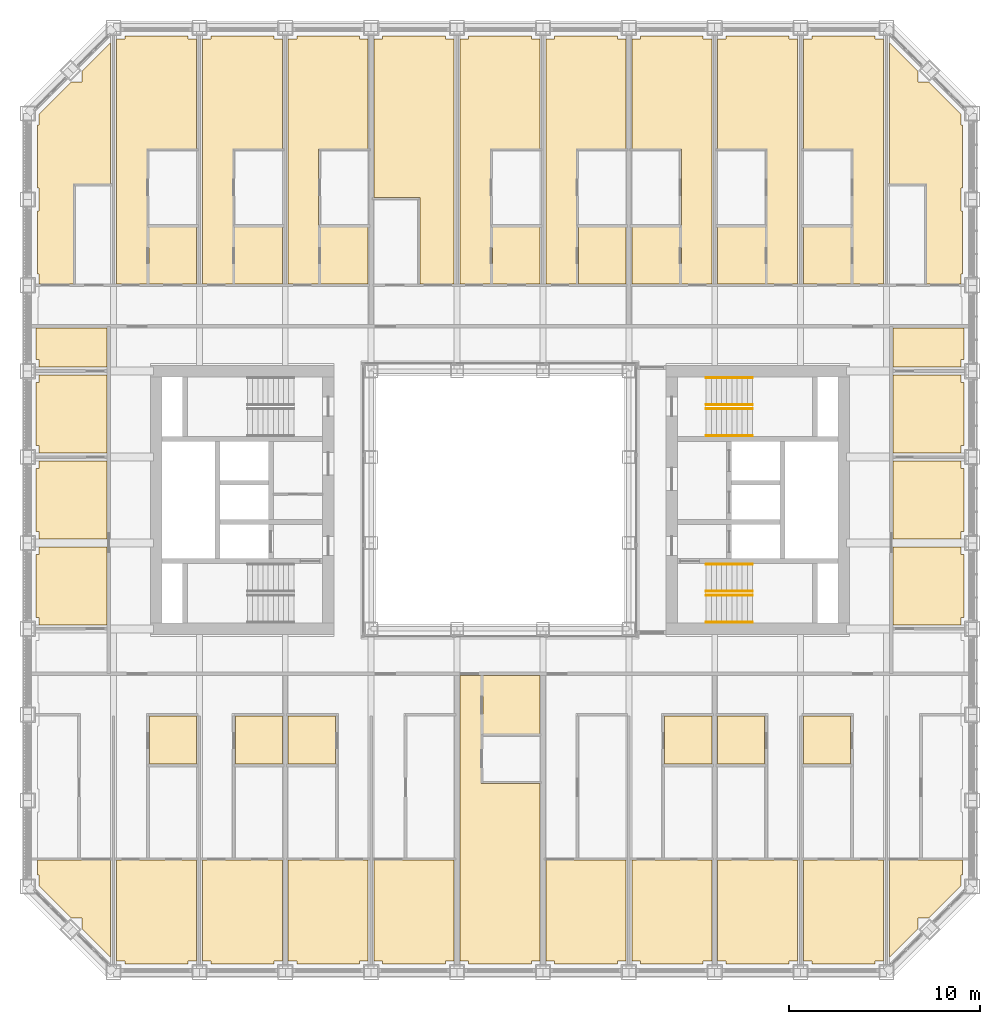
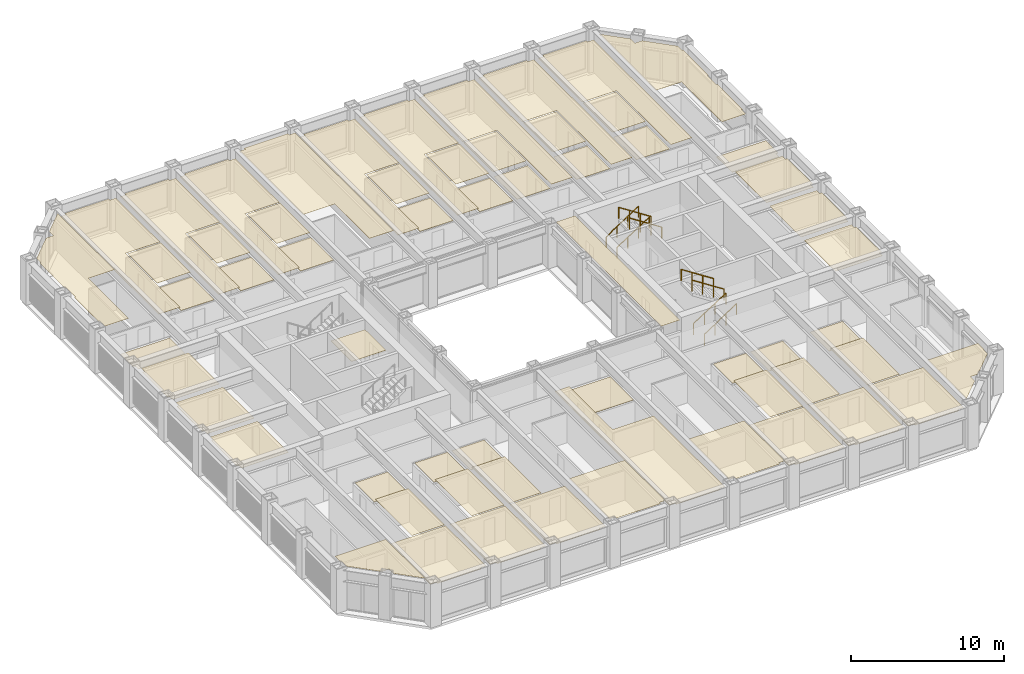
# One storey, part 20 of 21: 8 railings, 3 coverings.
"""IFC4 building model written with IfcOpenShell, lengths in metres."""

from ifc_helpers import new_model, si_unit, direction, frame, origin, origin_2d, place, context, subcontext, project, spatial, line, indexed_curve, circle, outline, extrude, material, layer, layer_set, type_object, element, save


model = new_model("IFC4")

# Units and contexts
model_context = context("Model", 3, precision=1e-05, world=origin(), true_north=direction((0.0, 1.0)))
body_context = subcontext(model_context, "Body", "Model", "MODEL_VIEW")
ifc_project = project(units=[si_unit("LENGTHUNIT", "METRE"), si_unit("AREAUNIT", "SQUARE_METRE"), si_unit("VOLUMEUNIT", "CUBIC_METRE"), si_unit("PLANEANGLEUNIT", "RADIAN"), si_unit("MASSUNIT", "GRAM", prefix="KILO")], contexts=[model_context])

# Site, building, storey
site_placement = place(None, origin())
site = spatial("IfcSite", under=ifc_project, at=site_placement, CompositionType="ELEMENT")
building_placement = place(site_placement, origin())
building = spatial("IfcBuilding", under=site, at=building_placement, Name="Msasa Ring Tower", CompositionType="ELEMENT")
storey_placement = place(building_placement, frame((0.0, 0.0, 72.0)))
storey = spatial("IfcBuildingStorey", under=building, at=storey_placement, Name="L18", CompositionType="ELEMENT", Elevation=72.0)

# Coverings
ifc_material_1 = material(Name="Gypsum plasterboard on a steel suspension grid", Category="steel")
ifc_layer_1 = layer(ifc_material_1, 0.014892578125)
ifc_layer_set_1 = layer_set([ifc_layer_1], Name="C1 SUSPENDED PLASTERBOARD CEILING 15")
covering_type_1 = type_object("IfcCoveringType", Name="C1 SUSPENDED PLASTERBOARD CEILING 15", PredefinedType="CEILING", material=ifc_layer_set_1)
covering_1_placement = place(storey_placement, frame((0.0, 0.0, 3.175048828125)))
element("IfcCovering", 1, at=covering_1_placement, inside=storey, type_object=covering_type_1, Name="Suspended Plasterboard Ceiling 15 public rooms L18", PredefinedType="CEILING", context=body_context, shape_type="SweptSolid", body=[
    extrude(outline(indexed_curve([(-24.23193359375, -18.867919921875), (-20.404296875, -18.867919921875), (-20.404296875, -23.95849609375), (-21.8994140625, -22.46337890625), (-21.8994140625, -21.8994140625), (-22.46337890625, -21.8994140625), (-24.1494140625, -20.21337890625), (-24.1494140625, -19.6494140625), (-24.23193359375, -19.6494140625)], segments=[line(1, 2, 3, 4, 5, 6, 7, 8, 9, 1)], self_intersect=False)), origin(), (0.0, 0.0, 1.0), 0.014892578125),
    extrude(outline(indexed_curve([(-22.3505859375, 11.31298828125), (-24.1494140625, 11.31298828125), (-24.1494140625, 11.8505859375), (-24.23193359375, 11.8505859375), (-24.23193359375, 15.1494140625), (-24.1494140625, 15.1494140625), (-24.1494140625, 16.3505859375), (-24.23193359375, 16.3505859375), (-24.23193359375, 19.6494140625), (-24.1494140625, 19.6494140625), (-24.1494140625, 20.21337890625), (-22.46337890625, 21.8994140625), (-21.8994140625, 21.8994140625), (-21.8994140625, 22.46337890625), (-20.404296875, 23.95849609375), (-20.404296875, 16.56298828125), (-22.3505859375, 16.56298828125)], segments=[line(1, 2, 3, 4, 5, 6, 7, 8, 9, 10, 11, 12, 13, 14, 15, 16, 17, 1)], self_intersect=False)), origin(), (0.0, 0.0, 1.0), 0.014892578125),
    extrude(outline(indexed_curve([(-2.404296875, -18.867919921875), (-2.404296875, -24.1494140625), (-2.8505859375, -24.1494140625), (-2.8505859375, -24.299560546875), (-6.1494140625, -24.299560546875), (-6.1494140625, -24.1494140625), (-6.595703125, -24.1494140625), (-6.595703125, -18.867919921875)], segments=[line(1, 2, 3, 4, 5, 6, 7, 8, 1)], self_intersect=False)), origin(), (0.0, 0.0, 1.0), 0.014892578125),
    extrude(outline(indexed_curve([(-2.8505859375, 24.299560546875), (-2.8505859375, 24.1494140625), (-2.404296875, 24.1494140625), (-2.404296875, 11.31298828125), (-4.199462890625, 11.31298828125), (-4.199462890625, 15.843017578125), (-6.595703125, 15.843017578125), (-6.595703125, 24.1494140625), (-6.1494140625, 24.1494140625), (-6.1494140625, 24.299560546875)], segments=[line(1, 2, 3, 4, 5, 6, 7, 8, 9, 10, 1)], self_intersect=False)), origin(), (0.0, 0.0, 1.0), 0.014892578125),
    extrude(outline(indexed_curve([(6.595703125, -18.867919921875), (6.595703125, -24.1494140625), (6.1494140625, -24.1494140625), (6.1494140625, -24.299560546875), (2.8505859375, -24.299560546875), (2.8505859375, -24.1494140625), (2.404296875, -24.1494140625), (2.404296875, -18.867919921875)], segments=[line(1, 2, 3, 4, 5, 6, 7, 8, 1)], self_intersect=False)), origin(), (0.0, 0.0, 1.0), 0.014892578125),
    extrude(outline(indexed_curve([(7.280029296875, -6.849609375), (7.280029296875, 6.849609375), (8.699462890625, 6.849609375), (8.699462890625, -6.849609375)], segments=[line(1, 2, 3, 4, 1)], self_intersect=False)), origin(), (0.0, 0.0, 1.0), 0.014892578125),
    extrude(outline(indexed_curve([(24.23193359375, -18.867919921875), (24.23193359375, -19.6494140625), (24.1494140625, -19.6494140625), (24.1494140625, -20.21337890625), (22.46337890625, -21.8994140625), (21.8994140625, -21.8994140625), (21.8994140625, -22.46337890625), (20.404296875, -23.95849609375), (20.404296875, -18.867919921875)], segments=[line(1, 2, 3, 4, 5, 6, 7, 8, 9, 1)], self_intersect=False)), origin(), (0.0, 0.0, 1.0), 0.014892578125),
    extrude(outline(indexed_curve([(21.8994140625, 22.46337890625), (21.8994140625, 21.8994140625), (22.46337890625, 21.8994140625), (24.1494140625, 20.21337890625), (24.1494140625, 19.6494140625), (24.23193359375, 19.6494140625), (24.23193359375, 16.3505859375), (24.1494140625, 16.3505859375), (24.1494140625, 15.1494140625), (24.23193359375, 15.1494140625), (24.23193359375, 11.8505859375), (24.1494140625, 11.8505859375), (24.1494140625, 11.31298828125), (22.3505859375, 11.31298828125), (22.3505859375, 16.56298828125), (20.404296875, 16.56298828125), (20.404296875, 23.95849609375)], segments=[line(1, 2, 3, 4, 5, 6, 7, 8, 9, 10, 11, 12, 13, 14, 15, 16, 17, 1)], self_intersect=False)), origin(), (0.0, 0.0, 1.0), 0.014892578125),
])
covering_2_placement = place(storey_placement, frame((0.0, 0.0, 2.699951171875)))
element("IfcCovering", 2, at=covering_2_placement, inside=storey, type_object=covering_type_1, Name="Suspended Plasterboard Ceiling 15 L18", PredefinedType="CEILING", context=body_context, shape_type="SweptSolid", body=[
    extrude(outline(indexed_curve([(-24.299560546875, -2.8505859375), (-24.1494140625, -2.8505859375), (-24.1494140625, -2.460693359375), (-20.6005859375, -2.460693359375), (-20.6005859375, -6.539306640625), (-24.1494140625, -6.539306640625), (-24.1494140625, -6.1494140625), (-24.299560546875, -6.1494140625)], segments=[line(1, 2, 3, 4, 5, 6, 7, 8, 1)], self_intersect=False)), origin(), (0.0, 0.0, 1.0), 0.01513671875),
    extrude(outline(indexed_curve([(-24.299560546875, 1.6494140625), (-24.1494140625, 1.6494140625), (-24.1494140625, 2.039306640625), (-20.6005859375, 2.039306640625), (-20.6005859375, -2.039306640625), (-24.1494140625, -2.039306640625), (-24.1494140625, -1.6494140625), (-24.299560546875, -1.6494140625)], segments=[line(1, 2, 3, 4, 5, 6, 7, 8, 1)], self_intersect=False)), origin(), (0.0, 0.0, 1.0), 0.01513671875),
    extrude(outline(indexed_curve([(-24.299560546875, 6.1494140625), (-24.1494140625, 6.1494140625), (-24.1494140625, 6.539306640625), (-20.6005859375, 6.539306640625), (-20.6005859375, 2.460693359375), (-24.1494140625, 2.460693359375), (-24.1494140625, 2.8505859375), (-24.299560546875, 2.8505859375)], segments=[line(1, 2, 3, 4, 5, 6, 7, 8, 1)], self_intersect=False)), origin(), (0.0, 0.0, 1.0), 0.01513671875),
    extrude(outline(indexed_curve([(-15.904296875, -18.867919921875), (-15.904296875, -24.1494140625), (-16.3505859375, -24.1494140625), (-16.3505859375, -24.299560546875), (-19.6494140625, -24.299560546875), (-19.6494140625, -24.1494140625), (-20.095703125, -24.1494140625), (-20.095703125, -18.867919921875)], segments=[line(1, 2, 3, 4, 5, 6, 7, 8, 1)], self_intersect=False)), origin(), (0.0, 0.0, 1.0), 0.01513671875),
    extrude(outline(indexed_curve([(-16.3505859375, 24.299560546875), (-16.3505859375, 24.1494140625), (-15.904296875, 24.1494140625), (-15.904296875, 18.40087890625), (-18.50048828125, 18.40087890625), (-18.50048828125, 11.31298828125), (-20.095703125, 11.31298828125), (-20.095703125, 24.1494140625), (-19.6494140625, 24.1494140625), (-19.6494140625, 24.299560546875)], segments=[line(1, 2, 3, 4, 5, 6, 7, 8, 9, 10, 1)], self_intersect=False)), origin(), (0.0, 0.0, 1.0), 0.01513671875),
    extrude(outline(indexed_curve([(-15.904296875, 18.294921875), (-15.904296875, 14.430419921875), (-18.3994140625, 14.430419921875), (-18.3994140625, 18.294921875)], segments=[line(1, 2, 3, 4, 1)], self_intersect=False)), origin(), (0.0, 0.0, 1.0), 0.01513671875),
    extrude(outline(indexed_curve([(-15.904296875, -13.992919921875), (-15.904296875, -18.757080078125), (-18.369384765625, -18.757080078125), (-18.369384765625, -13.992919921875)], segments=[line(1, 2, 3, 4, 1)], self_intersect=False)), origin(), (0.0, 0.0, 1.0), 0.01513671875),
    extrude(outline(indexed_curve([(-15.1494140625, -24.299560546875), (-15.1494140625, -24.1494140625), (-15.595703125, -24.1494140625), (-15.595703125, -18.867919921875), (-11.404296875, -18.867919921875), (-11.404296875, -24.1494140625), (-11.8505859375, -24.1494140625), (-11.8505859375, -24.299560546875)], segments=[line(1, 2, 3, 4, 5, 6, 7, 8, 1)], self_intersect=False)), origin(), (0.0, 0.0, 1.0), 0.01513671875),
    extrude(outline(indexed_curve([(-11.8505859375, 24.299560546875), (-11.8505859375, 24.1494140625), (-11.404296875, 24.1494140625), (-11.404296875, 18.403564453125), (-14.00048828125, 18.403564453125), (-14.00048828125, 11.31298828125), (-15.595703125, 11.31298828125), (-15.595703125, 24.1494140625), (-15.1494140625, 24.1494140625), (-15.1494140625, 24.299560546875)], segments=[line(1, 2, 3, 4, 5, 6, 7, 8, 9, 10, 1)], self_intersect=False)), origin(), (0.0, 0.0, 1.0), 0.01513671875),
    extrude(outline(indexed_curve([(-11.404296875, 18.297607421875), (-11.404296875, 14.430419921875), (-13.8994140625, 14.430419921875), (-13.8994140625, 18.297607421875)], segments=[line(1, 2, 3, 4, 1)], self_intersect=False)), origin(), (0.0, 0.0, 1.0), 0.01513671875),
    extrude(outline(indexed_curve([(-11.404296875, -13.992919921875), (-11.404296875, -18.757080078125), (-13.869384765625, -18.757080078125), (-13.869384765625, -13.992919921875)], segments=[line(1, 2, 3, 4, 1)], self_intersect=False)), origin(), (0.0, 0.0, 1.0), 0.01513671875),
    extrude(outline(indexed_curve([(-9.300537109375, 3.074462890625), (-9.300537109375, 0.35546875), (-11.87451171875, 0.35546875), (-11.87451171875, 3.074462890625)], segments=[line(1, 2, 3, 4, 1)], self_intersect=False)), origin(), (0.0, 0.0, 1.0), 0.01513671875),
    extrude(outline(indexed_curve([(-10.6494140625, -24.299560546875), (-10.6494140625, -24.1494140625), (-11.095703125, -24.1494140625), (-11.095703125, -18.867919921875), (-6.904296875, -18.867919921875), (-6.904296875, -24.1494140625), (-7.3505859375, -24.1494140625), (-7.3505859375, -24.299560546875)], segments=[line(1, 2, 3, 4, 5, 6, 7, 8, 1)], self_intersect=False)), origin(), (0.0, 0.0, 1.0), 0.01513671875),
    extrude(outline(indexed_curve([(-8.630615234375, -13.992919921875), (-8.630615234375, -18.757080078125), (-11.095703125, -18.757080078125), (-11.095703125, -13.992919921875)], segments=[line(1, 2, 3, 4, 1)], self_intersect=False)), origin(), (0.0, 0.0, 1.0), 0.01513671875),
    extrude(outline(indexed_curve([(-7.3505859375, 24.299560546875), (-7.3505859375, 24.1494140625), (-6.904296875, 24.1494140625), (-6.904296875, 18.403564453125), (-9.50048828125, 18.403564453125), (-9.50048828125, 11.31298828125), (-11.095703125, 11.31298828125), (-11.095703125, 24.1494140625), (-10.6494140625, 24.1494140625), (-10.6494140625, 24.299560546875)], segments=[line(1, 2, 3, 4, 5, 6, 7, 8, 9, 10, 1)], self_intersect=False)), origin(), (0.0, 0.0, 1.0), 0.01513671875),
    extrude(outline(indexed_curve([(-6.904296875, 18.297607421875), (-6.904296875, 14.430419921875), (-9.3994140625, 14.430419921875), (-9.3994140625, 18.297607421875)], segments=[line(1, 2, 3, 4, 1)], self_intersect=False)), origin(), (0.0, 0.0, 1.0), 0.01513671875),
    extrude(outline(indexed_curve([(-1.00048828125, -9.200439453125), (-1.00048828125, -14.8505859375), (2.095703125, -14.8505859375), (2.095703125, -24.1494140625), (1.6494140625, -24.1494140625), (1.6494140625, -24.299560546875), (-1.6494140625, -24.299560546875), (-1.6494140625, -24.1494140625), (-2.095703125, -24.1494140625), (-2.095703125, -9.200439453125)], segments=[line(1, 2, 3, 4, 5, 6, 7, 8, 9, 10, 1)], self_intersect=False)), origin(), (0.0, 0.0, 1.0), 0.01513671875),
    extrude(outline(indexed_curve([(1.6494140625, 24.299560546875), (1.6494140625, 24.1494140625), (2.095703125, 24.1494140625), (2.095703125, 18.403564453125), (-0.50048828125, 18.403564453125), (-0.50048828125, 11.31298828125), (-2.095703125, 11.31298828125), (-2.095703125, 24.1494140625), (-1.6494140625, 24.1494140625), (-1.6494140625, 24.299560546875)], segments=[line(1, 2, 3, 4, 5, 6, 7, 8, 9, 10, 1)], self_intersect=False)), origin(), (0.0, 0.0, 1.0), 0.01513671875),
    extrude(outline(indexed_curve([(2.095703125, 18.297607421875), (2.095703125, 14.430419921875), (-0.3994140625, 14.430419921875), (-0.3994140625, 18.297607421875)], segments=[line(1, 2, 3, 4, 1)], self_intersect=False)), origin(), (0.0, 0.0, 1.0), 0.01513671875),
    extrude(outline(indexed_curve([(6.1494140625, 24.299560546875), (6.1494140625, 24.1494140625), (6.595703125, 24.1494140625), (6.595703125, 18.403564453125), (3.99951171875, 18.403564453125), (3.99951171875, 11.31298828125), (2.404296875, 11.31298828125), (2.404296875, 24.1494140625), (2.8505859375, 24.1494140625), (2.8505859375, 24.299560546875)], segments=[line(1, 2, 3, 4, 5, 6, 7, 8, 9, 10, 1)], self_intersect=False)), origin(), (0.0, 0.0, 1.0), 0.01513671875),
    extrude(outline(indexed_curve([(6.595703125, 18.297607421875), (6.595703125, 14.430419921875), (4.1005859375, 14.430419921875), (4.1005859375, 18.297607421875)], segments=[line(1, 2, 3, 4, 1)], self_intersect=False)), origin(), (0.0, 0.0, 1.0), 0.01513671875),
    extrude(outline(indexed_curve([(7.3505859375, -24.299560546875), (7.3505859375, -24.1494140625), (6.904296875, -24.1494140625), (6.904296875, -18.867919921875), (11.095703125, -18.867919921875), (11.095703125, -24.1494140625), (10.6494140625, -24.1494140625), (10.6494140625, -24.299560546875)], segments=[line(1, 2, 3, 4, 5, 6, 7, 8, 1)], self_intersect=False)), origin(), (0.0, 0.0, 1.0), 0.01513671875),
    extrude(outline(indexed_curve([(9.50048828125, 11.31298828125), (9.50048828125, 18.403564453125), (6.904296875, 18.403564453125), (6.904296875, 24.1494140625), (7.3505859375, 24.1494140625), (7.3505859375, 24.299560546875), (10.6494140625, 24.299560546875), (10.6494140625, 24.1494140625), (11.095703125, 24.1494140625), (11.095703125, 11.31298828125)], segments=[line(1, 2, 3, 4, 5, 6, 7, 8, 9, 10, 1)], self_intersect=False)), origin(), (0.0, 0.0, 1.0), 0.01513671875),
    extrude(outline(indexed_curve([(9.3994140625, 18.297607421875), (9.3994140625, 14.430419921875), (6.904296875, 14.430419921875), (6.904296875, 18.297607421875)], segments=[line(1, 2, 3, 4, 1)], self_intersect=False)), origin(), (0.0, 0.0, 1.0), 0.01513671875),
    extrude(outline(indexed_curve([(11.095703125, -13.992919921875), (11.095703125, -18.757080078125), (8.630615234375, -18.757080078125), (8.630615234375, -13.992919921875)], segments=[line(1, 2, 3, 4, 1)], self_intersect=False)), origin(), (0.0, 0.0, 1.0), 0.01513671875),
    extrude(outline(indexed_curve([(11.8505859375, -24.299560546875), (11.8505859375, -24.1494140625), (11.404296875, -24.1494140625), (11.404296875, -18.867919921875), (15.595703125, -18.867919921875), (15.595703125, -24.1494140625), (15.1494140625, -24.1494140625), (15.1494140625, -24.299560546875)], segments=[line(1, 2, 3, 4, 5, 6, 7, 8, 1)], self_intersect=False)), origin(), (0.0, 0.0, 1.0), 0.01513671875),
    extrude(outline(indexed_curve([(13.869384765625, -13.992919921875), (13.869384765625, -18.757080078125), (11.404296875, -18.757080078125), (11.404296875, -13.992919921875)], segments=[line(1, 2, 3, 4, 1)], self_intersect=False)), origin(), (0.0, 0.0, 1.0), 0.01513671875),
    extrude(outline(indexed_curve([(14.00048828125, 11.31298828125), (14.00048828125, 18.403564453125), (11.404296875, 18.403564453125), (11.404296875, 24.1494140625), (11.8505859375, 24.1494140625), (11.8505859375, 24.299560546875), (15.1494140625, 24.299560546875), (15.1494140625, 24.1494140625), (15.595703125, 24.1494140625), (15.595703125, 11.31298828125)], segments=[line(1, 2, 3, 4, 5, 6, 7, 8, 9, 10, 1)], self_intersect=False)), origin(), (0.0, 0.0, 1.0), 0.01513671875),
    extrude(outline(indexed_curve([(13.8994140625, 18.297607421875), (13.8994140625, 14.430419921875), (11.404296875, 14.430419921875), (11.404296875, 18.297607421875)], segments=[line(1, 2, 3, 4, 1)], self_intersect=False)), origin(), (0.0, 0.0, 1.0), 0.01513671875),
    extrude(outline(indexed_curve([(20.095703125, -18.867919921875), (20.095703125, -24.1494140625), (19.6494140625, -24.1494140625), (19.6494140625, -24.299560546875), (16.3505859375, -24.299560546875), (16.3505859375, -24.1494140625), (15.904296875, -24.1494140625), (15.904296875, -18.867919921875)], segments=[line(1, 2, 3, 4, 5, 6, 7, 8, 1)], self_intersect=False)), origin(), (0.0, 0.0, 1.0), 0.01513671875),
    extrude(outline(indexed_curve([(18.369384765625, -13.992919921875), (18.369384765625, -18.757080078125), (15.904296875, -18.757080078125), (15.904296875, -13.992919921875)], segments=[line(1, 2, 3, 4, 1)], self_intersect=False)), origin(), (0.0, 0.0, 1.0), 0.01513671875),
    extrude(outline(indexed_curve([(18.50048828125, 11.31298828125), (18.50048828125, 18.40087890625), (15.904296875, 18.40087890625), (15.904296875, 24.1494140625), (16.3505859375, 24.1494140625), (16.3505859375, 24.299560546875), (19.6494140625, 24.299560546875), (19.6494140625, 24.1494140625), (20.095703125, 24.1494140625), (20.095703125, 11.31298828125)], segments=[line(1, 2, 3, 4, 5, 6, 7, 8, 9, 10, 1)], self_intersect=False)), origin(), (0.0, 0.0, 1.0), 0.01513671875),
    extrude(outline(indexed_curve([(18.3994140625, 18.294921875), (18.3994140625, 14.430419921875), (15.904296875, 14.430419921875), (15.904296875, 18.294921875)], segments=[line(1, 2, 3, 4, 1)], self_intersect=False)), origin(), (0.0, 0.0, 1.0), 0.01513671875),
    extrude(outline(indexed_curve([(20.6005859375, -2.460693359375), (24.1494140625, -2.460693359375), (24.1494140625, -2.8505859375), (24.299560546875, -2.8505859375), (24.299560546875, -6.1494140625), (24.1494140625, -6.1494140625), (24.1494140625, -6.539306640625), (20.6005859375, -6.539306640625)], segments=[line(1, 2, 3, 4, 5, 6, 7, 8, 1)], self_intersect=False)), origin(), (0.0, 0.0, 1.0), 0.01513671875),
    extrude(outline(indexed_curve([(20.6005859375, 2.039306640625), (24.1494140625, 2.039306640625), (24.1494140625, 1.6494140625), (24.299560546875, 1.6494140625), (24.299560546875, -1.6494140625), (24.1494140625, -1.6494140625), (24.1494140625, -2.039306640625), (20.6005859375, -2.039306640625)], segments=[line(1, 2, 3, 4, 5, 6, 7, 8, 1)], self_intersect=False)), origin(), (0.0, 0.0, 1.0), 0.01513671875),
    extrude(outline(indexed_curve([(20.6005859375, 6.539306640625), (24.1494140625, 6.539306640625), (24.1494140625, 6.1494140625), (24.299560546875, 6.1494140625), (24.299560546875, 2.8505859375), (24.1494140625, 2.8505859375), (24.1494140625, 2.460693359375), (20.6005859375, 2.460693359375)], segments=[line(1, 2, 3, 4, 5, 6, 7, 8, 1)], self_intersect=False)), origin(), (0.0, 0.0, 1.0), 0.01513671875),
])
ifc_material_2 = material(Name="Moisture-resistant gypsum plasterboard on a steel suspension grid", Category="steel")
ifc_layer_2 = layer(ifc_material_2, 0.014892578125)
ifc_layer_set_2 = layer_set([ifc_layer_2], Name="C2 MOISTURE-RESISTANT PLASTERBOARD CEILING 15")
covering_type_2 = type_object("IfcCoveringType", Name="C2 MOISTURE-RESISTANT PLASTERBOARD CEILING 15", PredefinedType="CEILING", material=ifc_layer_set_2)
covering_3_placement = place(storey_placement, frame((0.0, 0.0, 2.39990234375)))
element("IfcCovering", 3, at=covering_3_placement, inside=storey, type_object=covering_type_2, Name="Moisture-Resistant Plasterboard Ceiling 15 L18", PredefinedType="CEILING", context=body_context, shape_type="SweptSolid", body=[
    extrude(outline(indexed_curve([(-20.6005859375, 6.960693359375), (-24.1494140625, 6.960693359375), (-24.1494140625, 7.3505859375), (-24.299560546875, 7.3505859375), (-24.299560546875, 8.99951171875), (-20.6005859375, 8.99951171875)], segments=[line(1, 2, 3, 4, 5, 6, 1)], self_intersect=False)), origin(), (0.0, 0.0, 1.0), 0.01513671875),
    extrude(outline(indexed_curve([(-18.3994140625, 14.299560546875), (-15.904296875, 14.299560546875), (-15.904296875, 11.31298828125), (-18.3994140625, 11.31298828125)], segments=[line(1, 2, 3, 4, 1)], self_intersect=False)), origin(), (0.0, 0.0, 1.0), 0.01513671875),
    extrude(outline(indexed_curve([(-18.369384765625, -11.318115234375), (-15.904296875, -11.318115234375), (-15.904296875, -13.83203125), (-18.369384765625, -13.83203125)], segments=[line(1, 2, 3, 4, 1)], self_intersect=False)), origin(), (0.0, 0.0, 1.0), 0.01513671875),
    extrude(outline(indexed_curve([(-13.8994140625, 14.299560546875), (-11.404296875, 14.299560546875), (-11.404296875, 11.31298828125), (-13.8994140625, 11.31298828125)], segments=[line(1, 2, 3, 4, 1)], self_intersect=False)), origin(), (0.0, 0.0, 1.0), 0.01513671875),
    extrude(outline(indexed_curve([(-13.869384765625, -11.318115234375), (-11.404296875, -11.318115234375), (-11.404296875, -13.83203125), (-13.869384765625, -13.83203125)], segments=[line(1, 2, 3, 4, 1)], self_intersect=False)), origin(), (0.0, 0.0, 1.0), 0.01513671875),
    extrude(outline(indexed_curve([(-8.630615234375, -11.318115234375), (-8.630615234375, -13.83203125), (-11.095703125, -13.83203125), (-11.095703125, -11.318115234375)], segments=[line(1, 2, 3, 4, 1)], self_intersect=False)), origin(), (0.0, 0.0, 1.0), 0.01513671875),
    extrude(outline(indexed_curve([(-9.3994140625, 14.299560546875), (-6.904296875, 14.299560546875), (-6.904296875, 11.31298828125), (-9.3994140625, 11.31298828125)], segments=[line(1, 2, 3, 4, 1)], self_intersect=False)), origin(), (0.0, 0.0, 1.0), 0.01513671875),
    extrude(outline(indexed_curve([(-0.8994140625, -9.200439453125), (2.095703125, -9.200439453125), (2.095703125, -12.24951171875), (-0.8994140625, -12.24951171875)], segments=[line(1, 2, 3, 4, 1)], self_intersect=False)), origin(), (0.0, 0.0, 1.0), 0.01513671875),
    extrude(outline(indexed_curve([(-0.3994140625, 14.299560546875), (2.095703125, 14.299560546875), (2.095703125, 11.31298828125), (-0.3994140625, 11.31298828125)], segments=[line(1, 2, 3, 4, 1)], self_intersect=False)), origin(), (0.0, 0.0, 1.0), 0.01513671875),
    extrude(outline(indexed_curve([(4.1005859375, 14.299560546875), (6.595703125, 14.299560546875), (6.595703125, 11.31298828125), (4.1005859375, 11.31298828125)], segments=[line(1, 2, 3, 4, 1)], self_intersect=False)), origin(), (0.0, 0.0, 1.0), 0.01513671875),
    extrude(outline(indexed_curve([(9.3994140625, 14.299560546875), (9.3994140625, 11.31298828125), (6.904296875, 11.31298828125), (6.904296875, 14.299560546875)], segments=[line(1, 2, 3, 4, 1)], self_intersect=False)), origin(), (0.0, 0.0, 1.0), 0.01513671875),
    extrude(outline(indexed_curve([(8.630615234375, -11.318115234375), (11.095703125, -11.318115234375), (11.095703125, -13.83203125), (8.630615234375, -13.83203125)], segments=[line(1, 2, 3, 4, 1)], self_intersect=False)), origin(), (0.0, 0.0, 1.0), 0.01513671875),
    extrude(outline(indexed_curve([(13.869384765625, -11.318115234375), (13.869384765625, -13.83203125), (11.404296875, -13.83203125), (11.404296875, -11.318115234375)], segments=[line(1, 2, 3, 4, 1)], self_intersect=False)), origin(), (0.0, 0.0, 1.0), 0.01513671875),
    extrude(outline(indexed_curve([(13.8994140625, 14.299560546875), (13.8994140625, 11.31298828125), (11.404296875, 11.31298828125), (11.404296875, 14.299560546875)], segments=[line(1, 2, 3, 4, 1)], self_intersect=False)), origin(), (0.0, 0.0, 1.0), 0.01513671875),
    extrude(outline(indexed_curve([(18.369384765625, -11.318115234375), (18.369384765625, -13.83203125), (15.904296875, -13.83203125), (15.904296875, -11.318115234375)], segments=[line(1, 2, 3, 4, 1)], self_intersect=False)), origin(), (0.0, 0.0, 1.0), 0.01513671875),
    extrude(outline(indexed_curve([(18.3994140625, 14.299560546875), (18.3994140625, 11.31298828125), (15.904296875, 11.31298828125), (15.904296875, 14.299560546875)], segments=[line(1, 2, 3, 4, 1)], self_intersect=False)), origin(), (0.0, 0.0, 1.0), 0.01513671875),
    extrude(outline(indexed_curve([(20.6005859375, 8.99951171875), (24.299560546875, 8.99951171875), (24.299560546875, 7.3505859375), (24.1494140625, 7.3505859375), (24.1494140625, 6.960693359375), (20.6005859375, 6.960693359375)], segments=[line(1, 2, 3, 4, 5, 6, 1)], self_intersect=False)), origin(), (0.0, 0.0, 1.0), 0.01513671875),
])

# Railings
ifc_material_3 = material(Name="Stainless steel", Category="steel")
railing_type = type_object("IfcRailingType", Name="HR1 HANDRAIL 900", PredefinedType="HANDRAIL", material=ifc_material_3)
for number, where, name in (
    (4, (10.800048828125, -6.39990234375, 0.175048828125), "Handrail stair SEA L18 1"),
    (5, (10.800048828125, -5.0, 0.175048828125), "Handrail stair SEA L18 2"),
):
    element("IfcRailing", number, at=place(storey_placement, frame(where)), inside=storey, type_object=railing_type, Name=name, PredefinedType="HANDRAIL", context=body_context, shape_type="SweptSolid", body=[
        extrude(circle(Radius=0.02392578125, at=origin_2d()), frame((0.0, 0.0, 0.8759765625), z_axis=(0.839153699163, 0.0, 0.543894354798), x_axis=(0.0, 1.0, 0.0)), (0.0, 0.0, 1.0), 2.895751953125),
        extrude(circle(Radius=0.02099609375, at=origin_2d()), origin(), (0.0, 0.0, 1.0), 0.851806640625),
        extrude(circle(Radius=0.02099609375, at=origin_2d()), frame((0.81005859375, 0.0, 0.52490234375)), (0.0, 0.0, 1.0), 0.851806640625),
        extrude(circle(Radius=0.02099609375, at=origin_2d()), frame((1.619873046875, 0.0, 1.050048828125)), (0.0, 0.0, 1.0), 0.851806640625),
        extrude(circle(Radius=0.02099609375, at=origin_2d()), frame((2.429931640625, 0.0, 1.574951171875)), (0.0, 0.0, 1.0), 0.851806640625),
    ])
for number, where, name in (
    (6, (13.22998046875, -4.77490234375, 1.925048828125), "Handrail stair SEA L18 3"),
    (7, (13.22998046875, -3.375, 1.925048828125), "Handrail stair SEA L18 4"),
):
    element("IfcRailing", number, at=place(storey_placement, frame(where)), inside=storey, type_object=railing_type, Name=name, PredefinedType="HANDRAIL", context=body_context, shape_type="SweptSolid", body=[
        extrude(circle(Radius=0.02392578125, at=origin_2d()), frame((0.0, 0.0, 0.8759765625), z_axis=(-0.839153699163, 0.0, 0.543894354798), x_axis=(0.0, -1.0, 0.0)), (0.0, 0.0, 1.0), 2.895751953125),
        extrude(circle(Radius=0.02099609375, at=origin_2d()), origin(), (0.0, 0.0, 1.0), 0.851806640625),
        extrude(circle(Radius=0.02099609375, at=origin_2d()), frame((-0.81005859375, 0.0, 0.52490234375)), (0.0, 0.0, 1.0), 0.851806640625),
        extrude(circle(Radius=0.02099609375, at=origin_2d()), frame((-1.619873046875, 0.0, 1.050048828125)), (0.0, 0.0, 1.0), 0.851806640625),
        extrude(circle(Radius=0.02099609375, at=origin_2d()), frame((-2.429931640625, 0.0, 1.574951171875)), (0.0, 0.0, 1.0), 0.851806640625),
    ])
for number, where, name in (
    (8, (10.800048828125, 5.0, 0.175048828125), "Handrail stair SEB L18 1"),
    (9, (10.800048828125, 6.39990234375, 0.175048828125), "Handrail stair SEB L18 2"),
):
    element("IfcRailing", number, at=place(storey_placement, frame(where)), inside=storey, type_object=railing_type, Name=name, PredefinedType="HANDRAIL", context=body_context, shape_type="SweptSolid", body=[
        extrude(circle(Radius=0.02392578125, at=origin_2d()), frame((0.0, 0.0, 0.8759765625), z_axis=(0.839153699163, 0.0, 0.543894354798), x_axis=(0.0, 1.0, 0.0)), (0.0, 0.0, 1.0), 2.895751953125),
        extrude(circle(Radius=0.02099609375, at=origin_2d()), origin(), (0.0, 0.0, 1.0), 0.851806640625),
        extrude(circle(Radius=0.02099609375, at=origin_2d()), frame((0.81005859375, 0.0, 0.52490234375)), (0.0, 0.0, 1.0), 0.851806640625),
        extrude(circle(Radius=0.02099609375, at=origin_2d()), frame((1.619873046875, 0.0, 1.050048828125)), (0.0, 0.0, 1.0), 0.851806640625),
        extrude(circle(Radius=0.02099609375, at=origin_2d()), frame((2.429931640625, 0.0, 1.574951171875)), (0.0, 0.0, 1.0), 0.851806640625),
    ])
for number, where, name in (
    (10, (13.22998046875, 3.375, 1.925048828125), "Handrail stair SEB L18 3"),
    (11, (13.22998046875, 4.77490234375, 1.925048828125), "Handrail stair SEB L18 4"),
):
    element("IfcRailing", number, at=place(storey_placement, frame(where)), inside=storey, type_object=railing_type, Name=name, PredefinedType="HANDRAIL", context=body_context, shape_type="SweptSolid", body=[
        extrude(circle(Radius=0.02392578125, at=origin_2d()), frame((0.0, 0.0, 0.8759765625), z_axis=(-0.839153699163, 0.0, 0.543894354798), x_axis=(0.0, -1.0, 0.0)), (0.0, 0.0, 1.0), 2.895751953125),
        extrude(circle(Radius=0.02099609375, at=origin_2d()), origin(), (0.0, 0.0, 1.0), 0.851806640625),
        extrude(circle(Radius=0.02099609375, at=origin_2d()), frame((-0.81005859375, 0.0, 0.52490234375)), (0.0, 0.0, 1.0), 0.851806640625),
        extrude(circle(Radius=0.02099609375, at=origin_2d()), frame((-1.619873046875, 0.0, 1.050048828125)), (0.0, 0.0, 1.0), 0.851806640625),
        extrude(circle(Radius=0.02099609375, at=origin_2d()), frame((-2.429931640625, 0.0, 1.574951171875)), (0.0, 0.0, 1.0), 0.851806640625),
    ])

save(model, "model.ifc")
